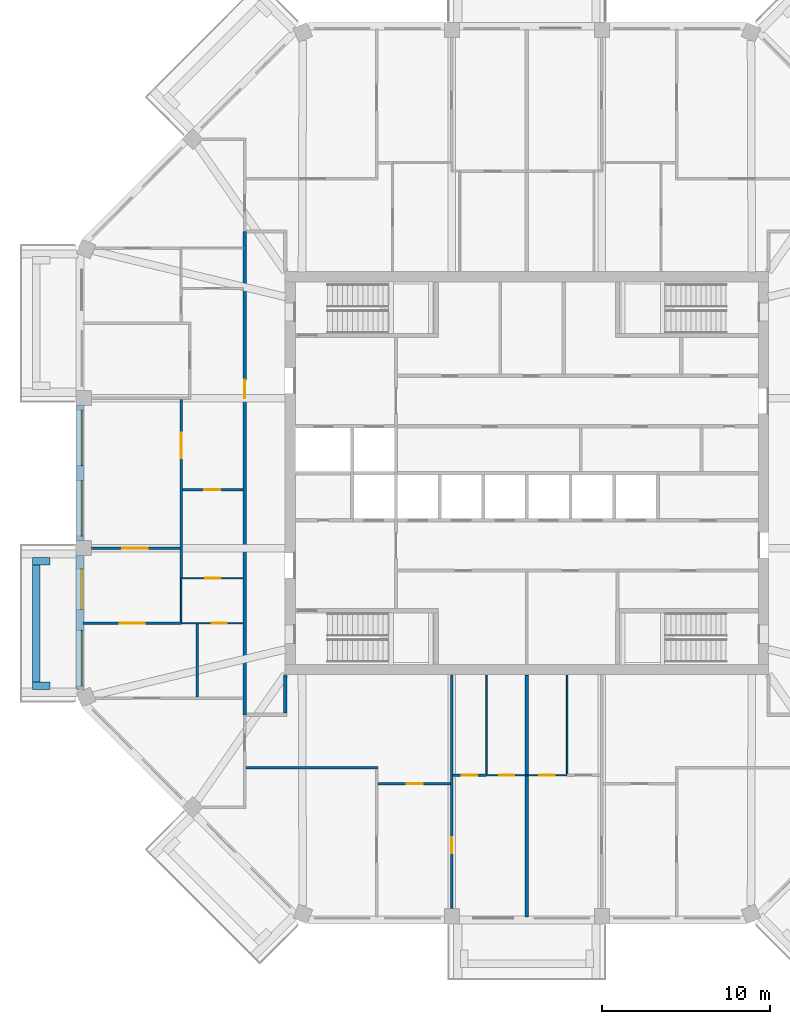
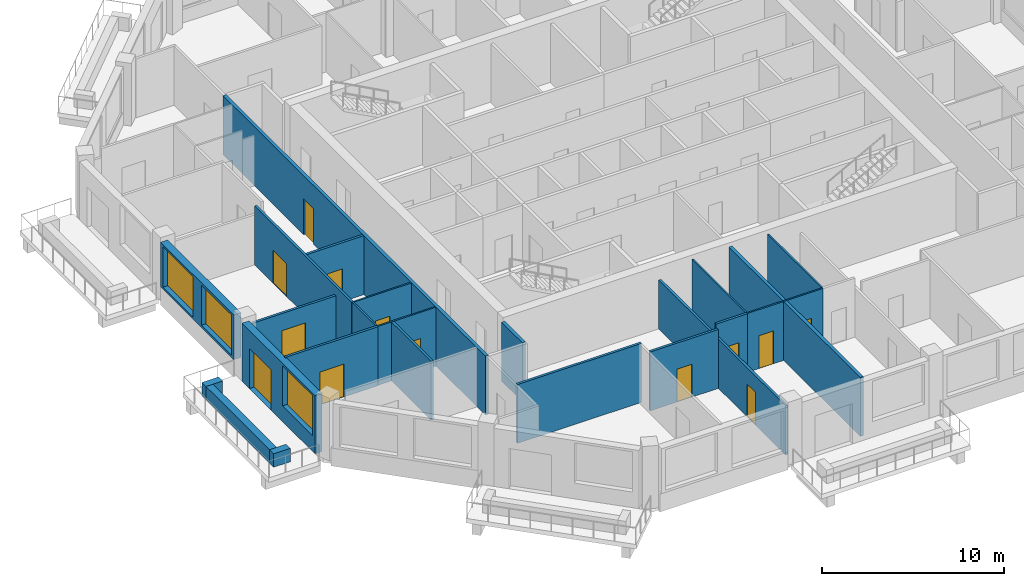
# One storey, part 3 of 12: 24 walls, 13 doors, 3 windows, 16 openings.
"""IFC4 building model written with IfcOpenShell, lengths in metres."""

from ifc_helpers import new_model, si_unit, direction, frame, frame_2d, origin, place, context, subcontext, project, spatial, rectangle, extrude, material, layer, layer_set, type_object, element, fill, save


model = new_model("IFC4")

# Units and contexts
model_context = context("Model", 3, precision=1e-05, world=origin(), true_north=direction((0.0, 1.0)))
body_context = subcontext(model_context, "Body", "Model", "MODEL_VIEW")
ifc_project = project(units=[si_unit("LENGTHUNIT", "METRE"), si_unit("AREAUNIT", "SQUARE_METRE"), si_unit("VOLUMEUNIT", "CUBIC_METRE"), si_unit("PLANEANGLEUNIT", "RADIAN"), si_unit("MASSUNIT", "GRAM", prefix="KILO")], contexts=[model_context])

# Site, building, storey
site_placement = place(None, origin())
site = spatial("IfcSite", under=ifc_project, at=site_placement, CompositionType="ELEMENT")
building_placement = place(site_placement, origin())
building = spatial("IfcBuilding", under=site, at=building_placement, Name="Msitu Wima Residences", CompositionType="ELEMENT")
storey_placement = place(building_placement, frame((0.0, 0.0, 239.10009765625)))
storey = spatial("IfcBuildingStorey", under=building, at=storey_placement, Name="L55", CompositionType="ELEMENT", Elevation=239.10009765625)

# Walls
ifc_material_1 = material(Name="Facing brick")
ifc_layer_1 = layer(ifc_material_1, 0.06494140625, Name="Facing brick")
ifc_material_2 = material(Name="Concrete C40/50", Category="concrete")
ifc_layer_2 = layer(ifc_material_2, 0.156005859375, Name="Concrete C40/50")
ifc_material_3 = material(Name="Waterproofing membrane")
ifc_layer_3 = layer(ifc_material_3, 0.00390625, Name="Waterproofing membrane")
ifc_material_4 = material(Name="Planting soil and planting")
ifc_layer_4 = layer(ifc_material_4, 0.22509765625, Name="Planting soil and planting")
ifc_layer_set_1 = layer_set([ifc_layer_1, ifc_layer_2, ifc_layer_3, ifc_layer_4], Name="Concrete C40/50")
wall_type_1 = type_object("IfcWallType", Name="Balcony planter PLANTER PL450", PredefinedType="USERDEFINED", material=ifc_layer_set_1)
wall_1_placement = place(storey_placement, frame((-29.22509765625, -5.468505859375, 0.0), z_axis=(0.0, 0.0, 1.0), x_axis=(0.0, -1.0, 0.0)))
element("IfcWall", 1, at=wall_1_placement, inside=storey, type_object=wall_type_1, Name="Balcony planter W2 L55", ObjectType="PLANTER", PredefinedType="USERDEFINED", context=body_context, shape_type="SweptSolid", body=[
    extrude(rectangle(XDim=6.9873046875, YDim=0.449951171875, at=frame_2d((3.49365234375, 0.0))), origin(), (0.0, 0.0, 1.0), 0.89990234375),
])
for number, where, z_axis, x_axis, name in (
    (2, (-28.39990234375, -5.24365234375, 0.0), (0.0, 0.0, 1.0), (-1.0, 0.0, 0.0), "Balcony planter W2 L55"),
    (3, (-28.39990234375, -12.680908203125, 0.0), (0.0, 0.0, 1.0), (-1.0, 0.0, 0.0), "Balcony planter W2 L55"),
):
    element("IfcWall", number, at=place(storey_placement, frame(where, z_axis=z_axis, x_axis=x_axis)), inside=storey, type_object=wall_type_1, Name=name, ObjectType="PLANTER", PredefinedType="USERDEFINED", context=body_context, shape_type="SweptSolid", body=[
        extrude(rectangle(XDim=1.050048828125, YDim=0.449951171875, at=frame_2d((0.52490234375, 0.0))), origin(), (0.0, 0.0, 1.0), 0.89990234375),
    ])

# Wall, openings, windows
ifc_material_5 = material(Name="Brick (red buff mix)", Category="masonry")
ifc_layer_5 = layer(ifc_material_5, 0.449951171875)
ifc_layer_set_2 = layer_set([ifc_layer_5], Name="Brick (red buff mix)")
wall_type_2 = type_object("IfcWallType", Name="Brick infill wall BW450", PredefinedType="SOLIDWALL", material=ifc_layer_set_2)
wall_2_placement = place(storey_placement, frame((-26.625, 4.0185546875, 0.89990234375), z_axis=(0.0, 0.0, 1.0), x_axis=(0.0, -1.0, 0.0)))
wall_2 = element("IfcWall", 4, at=wall_2_placement, inside=storey, type_object=wall_type_2, Name="Brick infill wall L55 W1", PredefinedType="SOLIDWALL", context=body_context, shape_type="SweptSolid", body=[
    extrude(rectangle(XDim=8.037109375, YDim=0.449951171875, at=frame_2d((4.0185546875, 0.0))), origin(), (0.0, 0.0, 1.0), 3.0),
])
opening_1_placement = place(wall_2_placement, frame((0.2685546875, 0.0, 0.14990234375)))
opening_1 = element("IfcOpeningElement", 5, at=opening_1_placement, cuts=wall_2, Name="Opening W55-56.028", PredefinedType="OPENING", context=body_context, shape_type="SweptSolid", body=[
    extrude(rectangle(XDim=3.300048828125, YDim=2.699951171875, at=frame_2d((1.64990234375, 1.35009765625))), frame((0.0, 0.23486328125, 0.0), z_axis=(0.0, -1.0, 0.0), x_axis=(1.0, 0.0, 0.0)), (0.0, 0.0, 1.0), 0.469970703125),
])
opening_2_placement = place(wall_2_placement, frame((4.46875, 0.0, 0.14990234375)))
opening_2 = element("IfcOpeningElement", 6, at=opening_2_placement, cuts=wall_2, Name="Opening W55-56.029", PredefinedType="OPENING", context=body_context, shape_type="SweptSolid", body=[
    extrude(rectangle(XDim=3.300048828125, YDim=2.699951171875, at=frame_2d((1.64990234375, 1.35009765625))), frame((0.0, 0.23486328125, 0.0), z_axis=(0.0, -1.0, 0.0), x_axis=(1.0, 0.0, 0.0)), (0.0, 0.0, 1.0), 0.469970703125),
])
ifc_material_6 = material(Name="Anodised aluminium, bronze finish, clear low-emissivity double glazing", Category="aluminium")
window_type = type_object("IfcWindowType", Name="Window W3300x2700", PartitioningType="DOUBLE_PANEL_VERTICAL", PredefinedType="WINDOW", material=ifc_material_6)
window_1_placement = place(opening_1_placement, origin())
window_1 = element("IfcWindow", 7, at=window_1_placement, inside=storey, type_object=window_type, Name="Window L55 W1.1", OverallHeight=2.699951171875, OverallWidth=3.300048828125, PartitioningType="SINGLE_PANEL", PredefinedType="WINDOW", context=body_context, shape_type="SweptSolid", body=[
    extrude(rectangle(XDim=3.300048828125, YDim=2.699951171875, at=frame_2d((1.64990234375, 1.35009765625))), frame((0.0, 0.135009765625, 0.0), z_axis=(0.0, -1.0, 0.0), x_axis=(1.0, 0.0, 0.0)), (0.0, 0.0, 1.0), 0.06005859375),
])
fill(opening_1, window_1)
window_2_placement = place(opening_2_placement, origin())
window_2 = element("IfcWindow", 8, at=window_2_placement, inside=storey, type_object=window_type, Name="Window L55 W1.2", OverallHeight=2.699951171875, OverallWidth=3.300048828125, PartitioningType="SINGLE_PANEL", PredefinedType="WINDOW", context=body_context, shape_type="SweptSolid", body=[
    extrude(rectangle(XDim=3.300048828125, YDim=2.699951171875, at=frame_2d((1.64990234375, 1.35009765625))), frame((0.0, 0.135009765625, 0.0), z_axis=(0.0, -1.0, 0.0), x_axis=(1.0, 0.0, 0.0)), (0.0, 0.0, 1.0), 0.06005859375),
])
fill(opening_2, window_2)

# Wall, openings, door, window
wall_3_placement = place(storey_placement, frame((-26.625, -4.918701171875, 0.0), z_axis=(0.0, 0.0, 1.0), x_axis=(0.0, -1.0, 0.0)))
wall_3 = element("IfcWall", 9, at=wall_3_placement, inside=storey, type_object=wall_type_2, Name="Brick infill wall L55 W2", PredefinedType="SOLIDWALL", context=body_context, shape_type="SweptSolid", body=[
    extrude(rectangle(XDim=8.0, YDim=0.449951171875, at=frame_2d((4.0, 0.0))), origin(), (0.0, 0.0, 1.0), 3.89990234375),
])
opening_3_placement = place(wall_3_placement, frame((0.800048828125, 0.0, 0.0)))
opening_3 = element("IfcOpeningElement", 10, at=opening_3_placement, cuts=wall_3, Name="Opening D55-56.010", PredefinedType="OPENING", context=body_context, shape_type="SweptSolid", body=[
    extrude(rectangle(XDim=2.39990234375, YDim=2.699951171875, at=frame_2d((1.199951171875, 1.35009765625))), frame((0.0, 0.23486328125, 0.0), z_axis=(0.0, -1.0, 0.0), x_axis=(1.0, 0.0, 0.0)), (0.0, 0.0, 1.0), 0.469970703125),
])
opening_4_placement = place(wall_3_placement, frame((4.4501953125, 0.0, 1.050048828125)))
opening_4 = element("IfcOpeningElement", 11, at=opening_4_placement, cuts=wall_3, Name="Opening W55-56.030", PredefinedType="OPENING", context=body_context, shape_type="SweptSolid", body=[
    extrude(rectangle(XDim=3.300048828125, YDim=2.699951171875, at=frame_2d((1.64990234375, 1.35009765625))), frame((0.0, 0.23486328125, 0.0), z_axis=(0.0, -1.0, 0.0), x_axis=(1.0, 0.0, 0.0)), (0.0, 0.0, 1.0), 0.469970703125),
])
door_type_1 = type_object("IfcDoorType", Name="Balcony door D2400x2700", OperationType="SLIDING_TO_LEFT", PredefinedType="DOOR", material=ifc_material_6)
door_1_placement = place(opening_3_placement, origin())
door_1 = element("IfcDoor", 12, at=door_1_placement, inside=storey, type_object=door_type_1, Name="Balcony door L55 W2", OperationType="SINGLE_SWING_LEFT", OverallHeight=2.699951171875, OverallWidth=2.39990234375, PredefinedType="DOOR", context=body_context, shape_type="SweptSolid", body=[
    extrude(rectangle(XDim=2.39990234375, YDim=2.699951171875, at=frame_2d((1.199951171875, 1.35009765625))), frame((0.0, 0.1298828125, 0.0), z_axis=(0.0, -1.0, 0.0), x_axis=(1.0, 0.0, 0.0)), (0.0, 0.0, 1.0), 0.050048828125),
])
fill(opening_3, door_1)
window_3_placement = place(opening_4_placement, origin())
window_3 = element("IfcWindow", 13, at=window_3_placement, inside=storey, type_object=window_type, Name="Window L55 W2.2", OverallHeight=2.699951171875, OverallWidth=3.300048828125, PartitioningType="SINGLE_PANEL", PredefinedType="WINDOW", context=body_context, shape_type="SweptSolid", body=[
    extrude(rectangle(XDim=3.300048828125, YDim=2.699951171875, at=frame_2d((1.64990234375, 1.35009765625))), frame((0.0, 0.135009765625, 0.0), z_axis=(0.0, -1.0, 0.0), x_axis=(1.0, 0.0, 0.0)), (0.0, 0.0, 1.0), 0.06005859375),
])
fill(opening_4, window_3)

# Wall, opening, door
ifc_material_7 = material(Name="Plaster")
ifc_layer_6 = layer(ifc_material_7, 0.011962890625, Name="Plaster")
ifc_material_8 = material(Name="Concrete blockwork", Category="masonry")
ifc_layer_7 = layer(ifc_material_8, 0.176025390625, Name="Concrete blockwork")
ifc_layer_8 = layer(ifc_material_7, 0.011962890625, Name="Plaster")
ifc_layer_set_3 = layer_set([ifc_layer_6, ifc_layer_7, ifc_layer_8], Name="Concrete blockwork")
wall_type_3 = type_object("IfcWallType", Name="Corridor wall FW200", PredefinedType="PARTITIONING", material=ifc_layer_set_3)
wall_4_placement = place(storey_placement, frame((-16.800048828125, -14.39990234375, 0.0), z_axis=(0.0, 0.0, 1.0), x_axis=(0.0, 1.0, 0.0)))
wall_4 = element("IfcWall", 14, at=wall_4_placement, inside=storey, type_object=wall_type_3, Name="Corridor wall", PredefinedType="PARTITIONING", context=body_context, shape_type="SweptSolid", body=[
    extrude(rectangle(XDim=28.7998046875, YDim=0.199951171875, at=frame_2d((14.39990234375, 0.0))), origin(), (0.0, 0.0, 1.0), 3.949951171875),
])
opening_5_placement = place(wall_4_placement, frame((18.85009765625, 0.0, 0.0)))
opening_5 = element("IfcOpeningElement", 15, at=opening_5_placement, cuts=wall_4, Name="Opening D55-56.035", PredefinedType="OPENING", context=body_context, shape_type="SweptSolid", body=[
    extrude(rectangle(XDim=1.10009765625, YDim=2.39990234375, at=frame_2d((0.550048828125, 1.199951171875))), frame((0.0, 0.10986328125, 0.0), z_axis=(0.0, -1.0, 0.0), x_axis=(1.0, 0.0, 0.0)), (0.0, 0.0, 1.0), 0.219970703125),
])
ifc_material_9 = material(Name="Timber flush door, fire resisting, self-closing", Category="wood")
door_type_2 = type_object("IfcDoorType", Name="Flat entrance door D01 1100x2400", OperationType="SINGLE_SWING_LEFT", PredefinedType="DOOR", material=ifc_material_9)
door_2_placement = place(opening_5_placement, origin())
door_2 = element("IfcDoor", 16, at=door_2_placement, inside=storey, type_object=door_type_2, Name="Flat entrance door", OperationType="SINGLE_SWING_RIGHT", OverallHeight=2.39990234375, OverallWidth=1.10009765625, PredefinedType="DOOR", context=body_context, shape_type="SweptSolid", body=[
    extrude(rectangle(XDim=1.10009765625, YDim=2.39990234375, at=frame_2d((0.550048828125, 1.199951171875))), frame((0.0, 0.02490234375, 0.0), z_axis=(0.0, -1.0, 0.0), x_axis=(1.0, 0.0, 0.0)), (0.0, 0.0, 1.0), 0.050048828125),
])
fill(opening_5, door_2)

# Wall
wall_5_placement = place(storey_placement, frame((-14.39990234375, -14.300048828125, 0.0), z_axis=(0.0, 0.0, 1.0), x_axis=(0.0, 1.0, 0.0)))
element("IfcWall", 17, at=wall_5_placement, inside=storey, type_object=wall_type_3, Name="Corridor wall", PredefinedType="PARTITIONING", context=body_context, shape_type="SweptSolid", body=[
    extrude(rectangle(XDim=2.27001953125, YDim=0.199951171875, at=frame_2d((1.135009765625, 0.0))), origin(), (0.0, 0.0, 1.0), 3.949951171875),
])

# Wall, opening, door
ifc_layer_9 = layer(ifc_material_7, 0.011962890625, Name="Plaster")
ifc_layer_10 = layer(ifc_material_8, 0.1259765625, Name="Concrete blockwork")
ifc_layer_11 = layer(ifc_material_7, 0.011962890625, Name="Plaster")
ifc_layer_set_4 = layer_set([ifc_layer_9, ifc_layer_10, ifc_layer_11], Name="Concrete blockwork")
wall_type_4 = type_object("IfcWallType", Name="Partition PW150", PredefinedType="PARTITIONING", material=ifc_layer_set_4)
wall_6_placement = place(storey_placement, frame((-26.455078125, -8.937255859375, 0.0), z_axis=(0.0, 0.0, 1.0), x_axis=(1.0, 0.0, 0.0)))
wall_6 = element("IfcWall", 18, at=wall_6_placement, inside=storey, type_object=wall_type_4, Name="Partition", PredefinedType="PARTITIONING", context=body_context, shape_type="SweptSolid", body=[
    extrude(rectangle(XDim=5.875, YDim=0.14990234375, at=frame_2d((2.9375, 0.0))), origin(), (0.0, 0.0, 1.0), 3.949951171875),
])
opening_6_placement = place(wall_6_placement, frame((2.199951171875, 0.0, 0.0)))
opening_6 = element("IfcOpeningElement", 19, at=opening_6_placement, cuts=wall_6, Name="Opening D55-56.041", PredefinedType="OPENING", context=body_context, shape_type="SweptSolid", body=[
    extrude(rectangle(XDim=1.5, YDim=2.199951171875, at=frame_2d((0.75, 1.10009765625))), frame((0.0, 0.0849609375, 0.0), z_axis=(0.0, -1.0, 0.0), x_axis=(1.0, 0.0, 0.0)), (0.0, 0.0, 1.0), 0.169921875),
])
ifc_material_10 = material(Name="Timber double door", Category="wood")
door_type_3 = type_object("IfcDoorType", Name="Double door D04 1500x2200", OperationType="DOUBLE_DOOR_SINGLE_SWING", PredefinedType="DOOR", material=ifc_material_10)
door_3_placement = place(opening_6_placement, origin())
door_3 = element("IfcDoor", 20, at=door_3_placement, inside=storey, type_object=door_type_3, Name="Double door", OperationType="DOUBLE_DOOR_SINGLE_SWING", OverallHeight=2.199951171875, OverallWidth=1.5, PredefinedType="DOOR", context=body_context, shape_type="SweptSolid", body=[
    extrude(rectangle(XDim=1.5, YDim=2.199951171875, at=frame_2d((0.75, 1.10009765625))), frame((0.0, 0.02490234375, 0.0), z_axis=(0.0, -1.0, 0.0), x_axis=(1.0, 0.0, 0.0)), (0.0, 0.0, 1.0), 0.050048828125),
])
fill(opening_6, door_3)

wall_7_placement = place(storey_placement, frame((-25.949951171875, -4.46875, 0.0), z_axis=(0.0, 0.0, 1.0), x_axis=(1.0, 0.0, 0.0)))
wall_7 = element("IfcWall", 21, at=wall_7_placement, inside=storey, type_object=wall_type_4, Name="Partition", PredefinedType="PARTITIONING", context=body_context, shape_type="SweptSolid", body=[
    extrude(rectangle(XDim=5.27490234375, YDim=0.14990234375, at=frame_2d((2.637451171875, 0.0))), origin(), (0.0, 0.0, 1.0), 3.349853515625),
])
opening_7_placement = place(wall_7_placement, frame((1.85009765625, 0.0, 0.0)))
opening_7 = element("IfcOpeningElement", 22, at=opening_7_placement, cuts=wall_7, Name="Opening D55-56.037", PredefinedType="OPENING", context=body_context, shape_type="SweptSolid", body=[
    extrude(rectangle(XDim=1.5, YDim=2.199951171875, at=frame_2d((0.75, 1.10009765625))), frame((0.0, 0.0849609375, 0.0), z_axis=(0.0, -1.0, 0.0), x_axis=(1.0, 0.0, 0.0)), (0.0, 0.0, 1.0), 0.169921875),
])
door_4_placement = place(opening_7_placement, origin())
door_4 = element("IfcDoor", 23, at=door_4_placement, inside=storey, type_object=door_type_3, Name="Double door", OperationType="DOUBLE_DOOR_SINGLE_SWING", OverallHeight=2.199951171875, OverallWidth=1.5, PredefinedType="DOOR", context=body_context, shape_type="SweptSolid", body=[
    extrude(rectangle(XDim=1.5, YDim=2.199951171875, at=frame_2d((0.75, 1.10009765625))), frame((0.0, 0.02490234375, 0.0), z_axis=(0.0, -1.0, 0.0), x_axis=(1.0, 0.0, 0.0)), (0.0, 0.0, 1.0), 0.050048828125),
])
fill(opening_7, door_4)

wall_8_placement = place(storey_placement, frame((-20.60009765625, -6.256103515625, 0.0), z_axis=(0.0, 0.0, 1.0), x_axis=(0.0, 1.0, 0.0)))
wall_8 = element("IfcWall", 24, at=wall_8_placement, inside=storey, type_object=wall_type_4, Name="Partition", PredefinedType="PARTITIONING", context=body_context, shape_type="SweptSolid", body=[
    extrude(rectangle(XDim=10.649658203125, YDim=0.14990234375, at=frame_2d((5.32470703125, 0.0))), origin(), (0.0, 0.0, 1.0), 3.949951171875),
])
opening_8_placement = place(wall_8_placement, frame((7.14990234375, 0.0, 0.0)))
opening_8 = element("IfcOpeningElement", 25, at=opening_8_placement, cuts=wall_8, Name="Opening D55-56.052", PredefinedType="OPENING", context=body_context, shape_type="SweptSolid", body=[
    extrude(rectangle(XDim=1.5, YDim=2.199951171875, at=frame_2d((0.75, 1.10009765625))), frame((0.0, 0.0849609375, 0.0), z_axis=(0.0, -1.0, 0.0), x_axis=(1.0, 0.0, 0.0)), (0.0, 0.0, 1.0), 0.169921875),
])
door_5_placement = place(opening_8_placement, origin())
door_5 = element("IfcDoor", 26, at=door_5_placement, inside=storey, type_object=door_type_3, Name="Double door", OperationType="DOUBLE_DOOR_SINGLE_SWING", OverallHeight=2.199951171875, OverallWidth=1.5, PredefinedType="DOOR", context=body_context, shape_type="SweptSolid", body=[
    extrude(rectangle(XDim=1.5, YDim=2.199951171875, at=frame_2d((0.75, 1.10009765625))), frame((0.0, 0.02490234375, 0.0), z_axis=(0.0, -1.0, 0.0), x_axis=(1.0, 0.0, 0.0)), (0.0, 0.0, 1.0), 0.050048828125),
])
fill(opening_8, door_5)

wall_9_placement = place(storey_placement, frame((-20.52490234375, -1.0, 0.0), z_axis=(0.0, 0.0, 1.0), x_axis=(1.0, 0.0, 0.0)))
wall_9 = element("IfcWall", 27, at=wall_9_placement, inside=storey, type_object=wall_type_4, Name="Partition", PredefinedType="PARTITIONING", context=body_context, shape_type="SweptSolid", body=[
    extrude(rectangle(XDim=3.625, YDim=0.14990234375, at=frame_2d((1.8125, 0.0))), origin(), (0.0, 0.0, 1.0), 3.949951171875),
])
opening_9_placement = place(wall_9_placement, frame((1.300048828125, 0.0, 0.0)))
opening_9 = element("IfcOpeningElement", 28, at=opening_9_placement, cuts=wall_9, Name="Opening D55-56.036", PredefinedType="OPENING", context=body_context, shape_type="SweptSolid", body=[
    extrude(rectangle(XDim=0.949951171875, YDim=2.199951171875, at=frame_2d((0.47509765625, 1.10009765625))), frame((0.0, 0.0849609375, 0.0), z_axis=(0.0, -1.0, 0.0), x_axis=(1.0, 0.0, 0.0)), (0.0, 0.0, 1.0), 0.169921875),
])
ifc_material_11 = material(Name="Timber flush door", Category="wood")
door_type_4 = type_object("IfcDoorType", Name="Room door D12 950x2200", OperationType="SINGLE_SWING_LEFT", PredefinedType="DOOR", material=ifc_material_11)
door_6_placement = place(opening_9_placement, origin())
door_6 = element("IfcDoor", 29, at=door_6_placement, inside=storey, type_object=door_type_4, Name="Room door", OperationType="SINGLE_SWING_RIGHT", OverallHeight=2.199951171875, OverallWidth=0.949951171875, PredefinedType="DOOR", context=body_context, shape_type="SweptSolid", body=[
    extrude(rectangle(XDim=0.949951171875, YDim=2.199951171875, at=frame_2d((0.47509765625, 1.10009765625))), frame((0.0, 0.02490234375, 0.0), z_axis=(0.0, -1.0, 0.0), x_axis=(1.0, 0.0, 0.0)), (0.0, 0.0, 1.0), 0.050048828125),
])
fill(opening_9, door_6)

# Walls
wall_10_placement = place(storey_placement, frame((-19.64990234375, -13.330810546875, 0.0), z_axis=(0.0, 0.0, 1.0), x_axis=(0.0, 1.0, 0.0)))
element("IfcWall", 30, at=wall_10_placement, inside=storey, type_object=wall_type_4, Name="Partition", PredefinedType="PARTITIONING", context=body_context, shape_type="SweptSolid", body=[
    extrude(rectangle(XDim=4.343505859375, YDim=0.14990234375, at=frame_2d((2.171875, 0.0))), origin(), (0.0, 0.0, 1.0), 3.949951171875),
])
wall_11_placement = place(storey_placement, frame((-16.72509765625, -17.550048828125, 0.0), z_axis=(0.0, 0.0, 1.0), x_axis=(1.0, 0.0, 0.0)))
element("IfcWall", 31, at=wall_11_placement, inside=storey, type_object=wall_type_4, Name="Partition", PredefinedType="PARTITIONING", context=body_context, shape_type="SweptSolid", body=[
    extrude(rectangle(XDim=7.86279296875, YDim=0.14990234375, at=frame_2d((3.931396484375, 0.0))), origin(), (0.0, 0.0, 1.0), 3.949951171875),
])

# Wall, opening, door
wall_12_placement = place(storey_placement, frame((-8.8623046875, -18.5, 0.0), z_axis=(0.0, 0.0, 1.0), x_axis=(1.0, 0.0, 0.0)))
wall_12 = element("IfcWall", 32, at=wall_12_placement, inside=storey, type_object=wall_type_4, Name="Partition", PredefinedType="PARTITIONING", context=body_context, shape_type="SweptSolid", body=[
    extrude(rectangle(XDim=4.318603515625, YDim=0.14990234375, at=frame_2d((2.1591796875, 0.0))), origin(), (0.0, 0.0, 1.0), 3.949951171875),
])
opening_10_placement = place(wall_12_placement, frame((1.699951171875, 0.0, 0.0)))
opening_10 = element("IfcOpeningElement", 33, at=opening_10_placement, cuts=wall_12, Name="Opening D55-56.045", PredefinedType="OPENING", context=body_context, shape_type="SweptSolid", body=[
    extrude(rectangle(XDim=0.949951171875, YDim=2.199951171875, at=frame_2d((0.47509765625, 1.10009765625))), frame((0.0, 0.0849609375, 0.0), z_axis=(0.0, -1.0, 0.0), x_axis=(1.0, 0.0, 0.0)), (0.0, 0.0, 1.0), 0.169921875),
])
door_7_placement = place(opening_10_placement, origin())
door_7 = element("IfcDoor", 34, at=door_7_placement, inside=storey, type_object=door_type_4, Name="Room door", OperationType="SINGLE_SWING_RIGHT", OverallHeight=2.199951171875, OverallWidth=0.949951171875, PredefinedType="DOOR", context=body_context, shape_type="SweptSolid", body=[
    extrude(rectangle(XDim=0.949951171875, YDim=2.199951171875, at=frame_2d((0.47509765625, 1.10009765625))), frame((0.0, 0.02490234375, 0.0), z_axis=(0.0, -1.0, 0.0), x_axis=(1.0, 0.0, 0.0)), (0.0, 0.0, 1.0), 0.050048828125),
])
fill(opening_10, door_7)

wall_13_placement = place(storey_placement, frame((-4.46875, -25.949951171875, 0.0), z_axis=(0.0, 0.0, 1.0), x_axis=(0.0, 1.0, 0.0)))
wall_13 = element("IfcWall", 35, at=wall_13_placement, inside=storey, type_object=wall_type_4, Name="Partition", PredefinedType="PARTITIONING", context=body_context, shape_type="SweptSolid", body=[
    extrude(rectangle(XDim=13.919921875, YDim=0.14990234375, at=frame_2d((6.9599609375, 0.0))), origin(), (0.0, 0.0, 1.0), 3.2998046875),
])
opening_11_placement = place(wall_13_placement, frame((3.300048828125, 0.0, 0.0)))
opening_11 = element("IfcOpeningElement", 36, at=opening_11_placement, cuts=wall_13, Name="Opening D55-56.049", PredefinedType="OPENING", context=body_context, shape_type="SweptSolid", body=[
    extrude(rectangle(XDim=0.949951171875, YDim=2.199951171875, at=frame_2d((0.47509765625, 1.10009765625))), frame((0.0, 0.0849609375, 0.0), z_axis=(0.0, -1.0, 0.0), x_axis=(1.0, 0.0, 0.0)), (0.0, 0.0, 1.0), 0.169921875),
])
door_8_placement = place(opening_11_placement, origin())
door_8 = element("IfcDoor", 37, at=door_8_placement, inside=storey, type_object=door_type_4, Name="Room door", OperationType="SINGLE_SWING_RIGHT", OverallHeight=2.199951171875, OverallWidth=0.949951171875, PredefinedType="DOOR", context=body_context, shape_type="SweptSolid", body=[
    extrude(rectangle(XDim=0.949951171875, YDim=2.199951171875, at=frame_2d((0.47509765625, 1.10009765625))), frame((0.0, 0.02490234375, 0.0), z_axis=(0.0, -1.0, 0.0), x_axis=(1.0, 0.0, 0.0)), (0.0, 0.0, 1.0), 0.050048828125),
])
fill(opening_11, door_8)

wall_14_placement = place(storey_placement, frame((-4.3935546875, -18.0, 0.0), z_axis=(0.0, 0.0, 1.0), x_axis=(1.0, 0.0, 0.0)))
wall_14 = element("IfcWall", 38, at=wall_14_placement, inside=storey, type_object=wall_type_4, Name="Partition", PredefinedType="PARTITIONING", context=body_context, shape_type="SweptSolid", body=[
    extrude(rectangle(XDim=1.99365234375, YDim=0.14990234375, at=frame_2d((0.996826171875, 0.0))), origin(), (0.0, 0.0, 1.0), 3.949951171875),
])
opening_12_placement = place(wall_14_placement, frame((0.5, 0.0, 0.0)))
opening_12 = element("IfcOpeningElement", 39, at=opening_12_placement, cuts=wall_14, Name="Opening D55-56.051", PredefinedType="OPENING", context=body_context, shape_type="SweptSolid", body=[
    extrude(rectangle(XDim=0.949951171875, YDim=2.199951171875, at=frame_2d((0.47509765625, 1.10009765625))), frame((0.0, 0.0849609375, 0.0), z_axis=(0.0, -1.0, 0.0), x_axis=(1.0, 0.0, 0.0)), (0.0, 0.0, 1.0), 0.169921875),
])
door_9_placement = place(opening_12_placement, origin())
door_9 = element("IfcDoor", 40, at=door_9_placement, inside=storey, type_object=door_type_4, Name="Room door", OperationType="SINGLE_SWING_RIGHT", OverallHeight=2.199951171875, OverallWidth=0.949951171875, PredefinedType="DOOR", context=body_context, shape_type="SweptSolid", body=[
    extrude(rectangle(XDim=0.949951171875, YDim=2.199951171875, at=frame_2d((0.47509765625, 1.10009765625))), frame((0.0, 0.02490234375, 0.0), z_axis=(0.0, -1.0, 0.0), x_axis=(1.0, 0.0, 0.0)), (0.0, 0.0, 1.0), 0.050048828125),
])
fill(opening_12, door_9)

# Walls
ifc_layer_12 = layer(ifc_material_7, 0.011962890625, Name="Plaster")
ifc_material_12 = material(Name="Dense concrete blockwork", Category="masonry")
ifc_layer_13 = layer(ifc_material_12, 0.176025390625, Name="Dense concrete blockwork")
ifc_layer_14 = layer(ifc_material_7, 0.011962890625, Name="Plaster")
ifc_layer_set_5 = layer_set([ifc_layer_12, ifc_layer_13, ifc_layer_14], Name="Dense concrete blockwork")
wall_type_5 = type_object("IfcWallType", Name="Party wall PW200", PredefinedType="PARTITIONING", material=ifc_layer_set_5)
wall_15_placement = place(storey_placement, frame((0.0, -26.455078125, 0.0), z_axis=(0.0, 0.0, 1.0), x_axis=(0.0, 1.0, 0.0)))
element("IfcWall", 41, at=wall_15_placement, inside=storey, type_object=wall_type_5, Name="Party wall", PredefinedType="PARTITIONING", context=body_context, shape_type="SweptSolid", body=[
    extrude(rectangle(XDim=14.425048828125, YDim=0.199951171875, at=frame_2d((7.21240234375, 0.0))), origin(), (0.0, 0.0, 1.0), 3.949951171875),
])
ifc_material_13 = material(Name="Ceramic tiles")
ifc_layer_15 = layer(ifc_material_13, 0.008056640625, Name="Ceramic tiles")
ifc_material_14 = material(Name="Moisture-resistant board")
ifc_layer_16 = layer(ifc_material_14, 0.012451171875, Name="Moisture-resistant board")
ifc_material_15 = material(Name="Light-gauge stud framing with mineral wool")
ifc_layer_17 = layer(ifc_material_15, 0.06689453125, Name="Light-gauge stud framing with mineral wool")
ifc_layer_18 = layer(ifc_material_14, 0.012451171875, Name="Moisture-resistant board")
ifc_layer_set_6 = layer_set([ifc_layer_15, ifc_layer_16, ifc_layer_17, ifc_layer_18], Name="Light-gauge stud framing with mineral wool")
wall_type_6 = type_object("IfcWallType", Name="Wet wall PW100", PredefinedType="PARTITIONING", material=ifc_layer_set_6)
wall_16_placement = place(storey_placement, frame((-20.60009765625, -8.8623046875, 0.0), z_axis=(0.0, 0.0, 1.0), x_axis=(0.0, 1.0, 0.0)))
element("IfcWall", 42, at=wall_16_placement, inside=storey, type_object=wall_type_6, Name="Wet wall", PredefinedType="PARTITIONING", context=body_context, shape_type="SweptSolid", body=[
    extrude(rectangle(XDim=2.606201171875, YDim=0.10009765625, at=frame_2d((1.30322265625, 0.0))), origin(), (0.0, 0.0, 1.0), 3.949951171875),
])

# Wall, opening, door
wall_17_placement = place(storey_placement, frame((-20.580078125, -8.937255859375, 0.0), z_axis=(0.0, 0.0, 1.0), x_axis=(1.0, 0.0, 0.0)))
wall_17 = element("IfcWall", 43, at=wall_17_placement, inside=storey, type_object=wall_type_6, Name="Wet wall", PredefinedType="PARTITIONING", context=body_context, shape_type="SweptSolid", body=[
    extrude(rectangle(XDim=3.68017578125, YDim=0.10009765625, at=frame_2d((1.840087890625, 0.0))), origin(), (0.0, 0.0, 1.0), 3.949951171875),
])
opening_13_placement = place(wall_17_placement, frame((1.800048828125, 0.0, 0.0)))
opening_13 = element("IfcOpeningElement", 44, at=opening_13_placement, cuts=wall_17, Name="Opening D55-56.040", PredefinedType="OPENING", context=body_context, shape_type="SweptSolid", body=[
    extrude(rectangle(XDim=0.89990234375, YDim=2.199951171875, at=frame_2d((0.449951171875, 1.10009765625))), frame((0.0, 0.06005859375, 0.0), z_axis=(0.0, -1.0, 0.0), x_axis=(1.0, 0.0, 0.0)), (0.0, 0.0, 1.0), 0.1201171875),
])
door_type_5 = type_object("IfcDoorType", Name="Service door D05 900x2200", OperationType="SINGLE_SWING_LEFT", PredefinedType="DOOR", material=ifc_material_11)
door_10_placement = place(opening_13_placement, origin())
door_10 = element("IfcDoor", 45, at=door_10_placement, inside=storey, type_object=door_type_5, Name="Service door", OperationType="SINGLE_SWING_RIGHT", OverallHeight=2.199951171875, OverallWidth=0.89990234375, PredefinedType="DOOR", context=body_context, shape_type="SweptSolid", body=[
    extrude(rectangle(XDim=0.89990234375, YDim=2.199951171875, at=frame_2d((0.449951171875, 1.10009765625))), frame((0.0, 0.02490234375, 0.0), z_axis=(0.0, -1.0, 0.0), x_axis=(1.0, 0.0, 0.0)), (0.0, 0.0, 1.0), 0.050048828125),
])
fill(opening_13, door_10)

wall_18_placement = place(storey_placement, frame((-20.52490234375, -6.256103515625, 0.0), z_axis=(0.0, 0.0, 1.0), x_axis=(1.0, 0.0, 0.0)))
wall_18 = element("IfcWall", 46, at=wall_18_placement, inside=storey, type_object=wall_type_6, Name="Wet wall", PredefinedType="PARTITIONING", context=body_context, shape_type="SweptSolid", body=[
    extrude(rectangle(XDim=3.625, YDim=0.10009765625, at=frame_2d((1.8125, 0.0))), origin(), (0.0, 0.0, 1.0), 3.949951171875),
])
opening_14_placement = place(wall_18_placement, frame((1.35009765625, 0.0, 0.0)))
opening_14 = element("IfcOpeningElement", 47, at=opening_14_placement, cuts=wall_18, Name="Opening D55-56.058", PredefinedType="OPENING", context=body_context, shape_type="SweptSolid", body=[
    extrude(rectangle(XDim=0.89990234375, YDim=2.199951171875, at=frame_2d((0.449951171875, 1.10009765625))), frame((0.0, 0.06005859375, 0.0), z_axis=(0.0, -1.0, 0.0), x_axis=(1.0, 0.0, 0.0)), (0.0, 0.0, 1.0), 0.1201171875),
])
door_11_placement = place(opening_14_placement, origin())
door_11 = element("IfcDoor", 48, at=door_11_placement, inside=storey, type_object=door_type_5, Name="Service door", OperationType="SINGLE_SWING_LEFT", OverallHeight=2.199951171875, OverallWidth=0.89990234375, PredefinedType="DOOR", context=body_context, shape_type="SweptSolid", body=[
    extrude(rectangle(XDim=0.89990234375, YDim=2.199951171875, at=frame_2d((0.449951171875, 1.10009765625))), frame((0.0, 0.02490234375, 0.0), z_axis=(0.0, -1.0, 0.0), x_axis=(1.0, 0.0, 0.0)), (0.0, 0.0, 1.0), 0.050048828125),
])
fill(opening_14, door_11)

# Wall
wall_19_placement = place(storey_placement, frame((-2.39990234375, -17.925048828125, 0.0), z_axis=(0.0, 0.0, 1.0), x_axis=(0.0, 1.0, 0.0)))
element("IfcWall", 49, at=wall_19_placement, inside=storey, type_object=wall_type_6, Name="Wet wall", PredefinedType="PARTITIONING", context=body_context, shape_type="SweptSolid", body=[
    extrude(rectangle(XDim=5.89501953125, YDim=0.10009765625, at=frame_2d((2.947509765625, 0.0))), origin(), (0.0, 0.0, 1.0), 3.949951171875),
])

# Wall, opening, door
wall_20_placement = place(storey_placement, frame((-2.39990234375, -18.0, 0.0), z_axis=(0.0, 0.0, 1.0), x_axis=(1.0, 0.0, 0.0)))
wall_20 = element("IfcWall", 50, at=wall_20_placement, inside=storey, type_object=wall_type_6, Name="Wet wall", PredefinedType="PARTITIONING", context=body_context, shape_type="SweptSolid", body=[
    extrude(rectangle(XDim=2.39990234375, YDim=0.10009765625, at=frame_2d((1.199951171875, 0.0))), origin(), (0.0, 0.0, 1.0), 3.949951171875),
])
opening_15_placement = place(wall_20_placement, frame((0.75, 0.0, 0.0)))
opening_15 = element("IfcOpeningElement", 51, at=opening_15_placement, cuts=wall_20, Name="Opening D55-56.050", PredefinedType="OPENING", context=body_context, shape_type="SweptSolid", body=[
    extrude(rectangle(XDim=0.89990234375, YDim=2.199951171875, at=frame_2d((0.449951171875, 1.10009765625))), frame((0.0, 0.06005859375, 0.0), z_axis=(0.0, -1.0, 0.0), x_axis=(1.0, 0.0, 0.0)), (0.0, 0.0, 1.0), 0.1201171875),
])
ifc_material_16 = material(Name="Timber flush door, moisture resistant", Category="wood")
door_type_6 = type_object("IfcDoorType", Name="Bathroom door D03 900x2200", OperationType="SINGLE_SWING_LEFT", PredefinedType="DOOR", material=ifc_material_16)
door_12_placement = place(opening_15_placement, origin())
door_12 = element("IfcDoor", 52, at=door_12_placement, inside=storey, type_object=door_type_6, Name="Bathroom door", OperationType="SINGLE_SWING_RIGHT", OverallHeight=2.199951171875, OverallWidth=0.89990234375, PredefinedType="DOOR", context=body_context, shape_type="SweptSolid", body=[
    extrude(rectangle(XDim=0.89990234375, YDim=2.199951171875, at=frame_2d((0.449951171875, 1.10009765625))), frame((0.0, 0.02490234375, 0.0), z_axis=(0.0, -1.0, 0.0), x_axis=(1.0, 0.0, 0.0)), (0.0, 0.0, 1.0), 0.050048828125),
])
fill(opening_15, door_12)

wall_21_placement = place(storey_placement, frame((0.0, -18.0, 0.0), z_axis=(0.0, 0.0, 1.0), x_axis=(1.0, 0.0, 0.0)))
wall_21 = element("IfcWall", 53, at=wall_21_placement, inside=storey, type_object=wall_type_6, Name="Wet wall", PredefinedType="PARTITIONING", context=body_context, shape_type="SweptSolid", body=[
    extrude(rectangle(XDim=2.39990234375, YDim=0.10009765625, at=frame_2d((1.199951171875, 0.0))), origin(), (0.0, 0.0, 1.0), 3.949951171875),
])
opening_16_placement = place(wall_21_placement, frame((0.75, 0.0, 0.0)))
opening_16 = element("IfcOpeningElement", 54, at=opening_16_placement, cuts=wall_21, Name="Opening D55-56.026", PredefinedType="OPENING", context=body_context, shape_type="SweptSolid", body=[
    extrude(rectangle(XDim=0.89990234375, YDim=2.199951171875, at=frame_2d((0.449951171875, 1.10009765625))), frame((0.0, 0.06005859375, 0.0), z_axis=(0.0, -1.0, 0.0), x_axis=(1.0, 0.0, 0.0)), (0.0, 0.0, 1.0), 0.1201171875),
])
door_13_placement = place(opening_16_placement, origin())
door_13 = element("IfcDoor", 55, at=door_13_placement, inside=storey, type_object=door_type_6, Name="Bathroom door", OperationType="SINGLE_SWING_LEFT", OverallHeight=2.199951171875, OverallWidth=0.89990234375, PredefinedType="DOOR", context=body_context, shape_type="SweptSolid", body=[
    extrude(rectangle(XDim=0.89990234375, YDim=2.199951171875, at=frame_2d((0.449951171875, 1.10009765625))), frame((0.0, 0.02490234375, 0.0), z_axis=(0.0, -1.0, 0.0), x_axis=(1.0, 0.0, 0.0)), (0.0, 0.0, 1.0), 0.050048828125),
])
fill(opening_16, door_13)

# Wall
wall_22_placement = place(storey_placement, frame((2.39990234375, -17.925048828125, 0.0), z_axis=(0.0, 0.0, 1.0), x_axis=(0.0, 1.0, 0.0)))
element("IfcWall", 56, at=wall_22_placement, inside=storey, type_object=wall_type_6, Name="Wet wall", PredefinedType="PARTITIONING", context=body_context, shape_type="SweptSolid", body=[
    extrude(rectangle(XDim=5.89501953125, YDim=0.10009765625, at=frame_2d((2.947509765625, 0.0))), origin(), (0.0, 0.0, 1.0), 3.949951171875),
])

save(model, "model.ifc")
